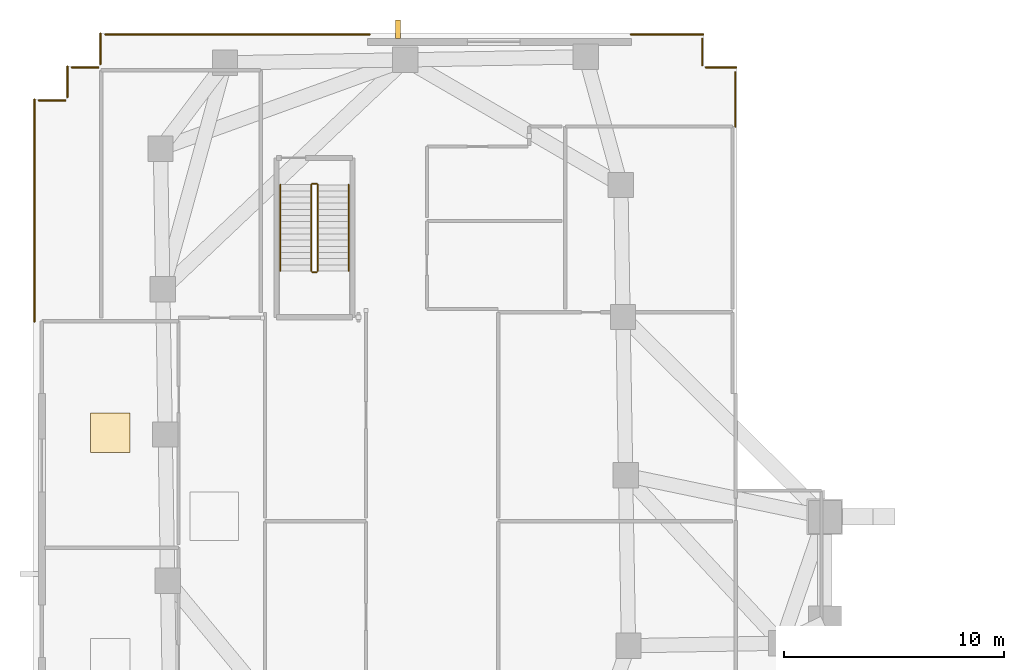
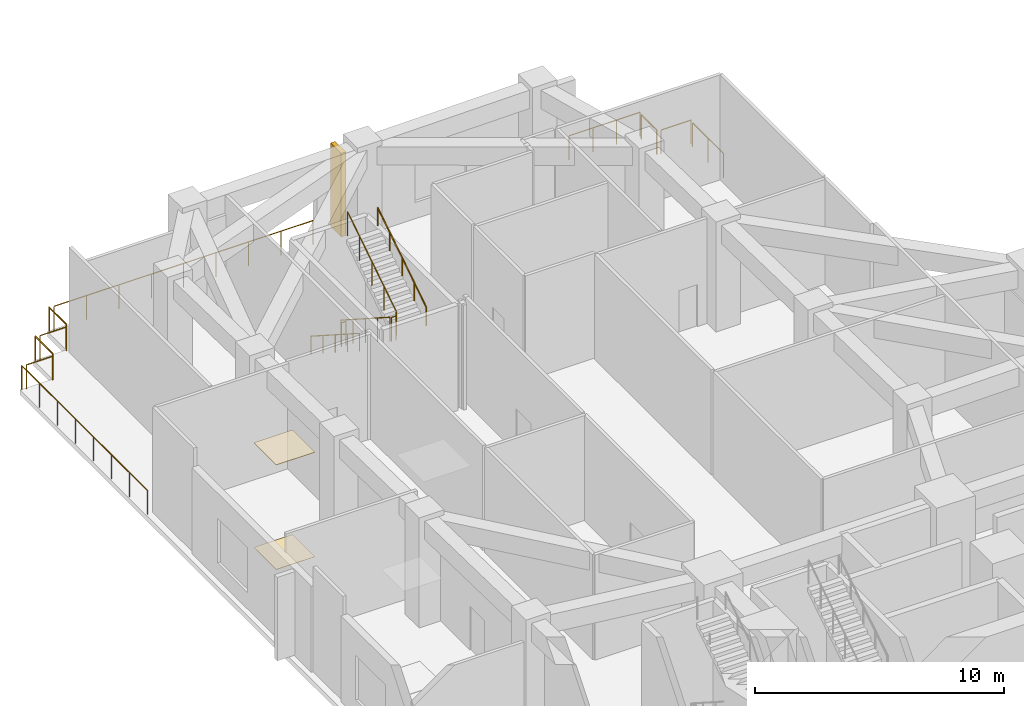
# One storey, part 17 of 18: 16 railings, 2 coverings, 1 shading device.
"""IFC4 building model written with IfcOpenShell, lengths in metres."""

import ifcopenshell
import ifcopenshell.guid

model = None  # the IFC model being written
_history = None  # IfcOwnerHistory: only IFC2X3 demands one
_inside = {}  # id of a spatial element -> (the spatial element, [elements in it])
_under = {}  # id of a project, library or spatial element -> (it, [spatial elements below it])
_declared = {}  # id of a project -> (the project, [libraries it declares])
_typed = {}  # id of a type object -> (the type object, [elements of that type])
_made_of = {}  # id of a material, layer set ... -> (it, [elements and type objects made of it])


def new_model(schema):
    """Start an empty IFC model of exactly this schema.

    Asked for "IFC4X3", IfcOpenShell would pick the latest addendum, in which some entities
    have other attributes; the version numbers below select the first issue.
    IFC2X3 requires an IfcOwnerHistory on every rooted entity: one is made here for all.
    """
    global model, _history
    if schema == "IFC4X3":
        model = ifcopenshell.file(schema_version=(4, 3, 0, 0))
    else:
        model = ifcopenshell.file(schema=schema)
    _inside.clear()
    _under.clear()
    _declared.clear()
    _typed.clear()
    _made_of.clear()
    _history = None
    if model.schema == "IFC2X3":
        org = make("IfcOrganization", Name="unknown")
        user = make(
            "IfcPersonAndOrganization",
            ThePerson=make("IfcPerson", FamilyName="unknown"),
            TheOrganization=org,
        )
        app = make(
            "IfcApplication",
            ApplicationDeveloper=org,
            Version="unknown",
            ApplicationFullName="unknown",
            ApplicationIdentifier="unknown",
        )
        _history = make(
            "IfcOwnerHistory",
            OwningUser=user,
            OwningApplication=app,
            ChangeAction="ADDED",
            CreationDate=0,
        )
    return model


def make(cls, **values):
    """One entity of the class cls with the attributes given. An attribute that is None is left unset."""
    return model.create_entity(
        cls, **{name: value for name, value in values.items() if value is not None}
    )


def rooted(cls, **values):
    """An entity with a GlobalId (a new one), such as an element, a storey or a relation."""
    return make(cls, GlobalId=ifcopenshell.guid.new(), OwnerHistory=_history, **values)


def si_unit(unit_type, name, prefix=None):
    """IfcSIUnit, for example si_unit("LENGTHUNIT", "METRE", prefix="MILLI")."""
    return make("IfcSIUnit", UnitType=unit_type, Prefix=prefix, Name=name)


def assignment(units):
    """IfcUnitAssignment: the units of a project."""
    return None if units is None else make("IfcUnitAssignment", Units=units)


def point(xyz):
    """IfcCartesianPoint."""
    return None if xyz is None else make("IfcCartesianPoint", Coordinates=xyz)


def direction(xyz):
    """IfcDirection."""
    return None if xyz is None else make("IfcDirection", DirectionRatios=xyz)


def frame(location, z_axis=None, x_axis=None):
    """IfcAxis2Placement3D, a coordinate frame: its origin and axes. An axis left out is left unset."""
    return make(
        "IfcAxis2Placement3D",
        Location=point(location),
        Axis=direction(z_axis),
        RefDirection=direction(x_axis),
    )


def frame_2d(location, x_axis=None):
    """IfcAxis2Placement2D, a coordinate frame in the plane: its origin and x axis."""
    return make(
        "IfcAxis2Placement2D", Location=point(location), RefDirection=direction(x_axis)
    )


def origin():
    """The frame at (0, 0, 0) with its axes left unset."""
    return frame((0.0, 0.0, 0.0))


def origin_2d():
    """The frame at (0, 0) in the plane with its x axis left unset."""
    return frame_2d((0.0, 0.0))


def place(relative_to, where):
    """IfcLocalPlacement: puts the frame where relative to a parent placement (None: the world)."""
    return make(
        "IfcLocalPlacement", PlacementRelTo=relative_to, RelativePlacement=where
    )


def context(
    kind, dimensions, precision=None, world=None, true_north=None, identifier=None
):
    """IfcGeometricRepresentationContext, for example the 3D "Model" context."""
    return make(
        "IfcGeometricRepresentationContext",
        ContextIdentifier=identifier,
        ContextType=kind,
        CoordinateSpaceDimension=dimensions,
        Precision=precision,
        WorldCoordinateSystem=world,
        TrueNorth=true_north,
    )


def subcontext(parent, identifier, kind, view, scale=None):
    """IfcGeometricRepresentationSubContext, for example "Body" below "Model"."""
    return make(
        "IfcGeometricRepresentationSubContext",
        ContextIdentifier=identifier,
        ContextType=kind,
        ParentContext=parent,
        TargetScale=scale,
        TargetView=view,
    )


def project(units=None, contexts=None):
    """IfcProject with its units and contexts."""
    return rooted(
        "IfcProject",
        Name="project",
        RepresentationContexts=contexts,
        UnitsInContext=assignment(units),
    )


def spatial(cls, under=None, at=None, **own):
    """A site, building, storey or space (cls), placed at a placement, below another one or the project."""
    s = rooted(cls, ObjectPlacement=at, **own)
    if under is not None:
        _under.setdefault(under.id(), (under, []))[1].append(s)
    return s


def profile(cls, at=None, kind="AREA", **sizes):
    """A parametric profile (cls). Its sizes go by their IFC names, for example OverallWidth=200.0."""
    return make(cls, ProfileType=kind, Position=at, **sizes)


def rectangle(**sizes):
    """IfcRectangleProfileDef."""
    return profile("IfcRectangleProfileDef", **sizes)


def circle(**sizes):
    """IfcCircleProfileDef."""
    return profile("IfcCircleProfileDef", **sizes)


def extrude(swept, where, along, depth):
    """IfcExtrudedAreaSolid: the profile swept, set in the frame where, extruded along a direction by depth."""
    return make(
        "IfcExtrudedAreaSolid",
        SweptArea=swept,
        Position=where,
        ExtrudedDirection=direction(along),
        Depth=depth,
    )


def shape(context_of_items, identifier, shape_type, items):
    """IfcShapeRepresentation: the items that make up one representation, for example the "Body"."""
    return make(
        "IfcShapeRepresentation",
        ContextOfItems=context_of_items,
        RepresentationIdentifier=identifier,
        RepresentationType=shape_type,
        Items=items,
    )


def material(Name=None, Category=None):
    """IfcMaterial."""
    return make("IfcMaterial", Name=Name, Category=Category)


def layer(
    of_material, thickness, ventilated=None, Name=None, Category=None, Priority=None
):
    """IfcMaterialLayer: one layer of a wall or slab, of a material (None: an air gap)."""
    return make(
        "IfcMaterialLayer",
        Material=of_material,
        LayerThickness=thickness,
        IsVentilated=ventilated,
        Name=Name,
        Category=Category,
        Priority=Priority,
    )


def layer_set(layers, Name=None):
    """IfcMaterialLayerSet."""
    return make("IfcMaterialLayerSet", MaterialLayers=layers, LayerSetName=Name)


def made_of(thing, what):
    """Note that an element or type object is made of a material, layer set ...; save() writes the relation."""
    if what is not None:
        _made_of.setdefault(what.id(), (what, []))[1].append(thing)
    return thing


def type_object(cls, material=None, **own):
    """A type object (cls), such as IfcWallType, which elements share."""
    return made_of(rooted(cls, **own), material)


def element(
    cls,
    number,
    at=None,
    inside=None,
    cuts=None,
    type_object=None,
    material=None,
    context=None,
    identifier="Body",
    shape_type=None,
    held_by="IfcProductDefinitionShape",
    body=None,
    shapes=None,
    **own,
):
    """One element of the class cls, such as IfcWall. Its Tag is "e" and its number.

    at: its placement. inside: the storey or other place that contains it. cuts: it is an
    opening in that element (IfcRelVoidsElement). A single representation is given by context,
    identifier, shape_type and body (its items); several are given by shapes. held_by: the class
    of the entity that holds the representations. save() writes the other relations.
    """
    e = rooted(cls, Tag="e%d" % number, ObjectPlacement=at, **own)
    if body is not None:
        shapes = [shape(context, identifier, shape_type, body)]
    if shapes is not None:
        e.Representation = make(held_by, Representations=shapes)
    if inside is not None:
        _inside.setdefault(inside.id(), (inside, []))[1].append(e)
    if cuts is not None:
        rooted(
            "IfcRelVoidsElement", RelatingBuildingElement=cuts, RelatedOpeningElement=e
        )
    if type_object is not None:
        _typed.setdefault(type_object.id(), (type_object, []))[1].append(e)
    return made_of(e, material)


def aggregate(whole, parts):
    """IfcRelAggregates: a whole, such as a stair, and the parts it consists of."""
    return rooted("IfcRelAggregates", RelatingObject=whole, RelatedObjects=parts)


def save(model, path):
    """Write the relations noted so far, then the file.

    IfcRelAggregates (storeys below a building ...), IfcRelContainedInSpatialStructure (elements
    in a storey), IfcRelDefinesByType, IfcRelAssociatesMaterial and IfcRelDeclares: one each for
    every whole, place, type object, material and project.
    """
    for whole, parts in _under.values():
        aggregate(whole, parts)
    for where, things in _inside.values():
        rooted(
            "IfcRelContainedInSpatialStructure",
            RelatedElements=things,
            RelatingStructure=where,
        )
    for kind, things in _typed.values():
        rooted("IfcRelDefinesByType", RelatedObjects=things, RelatingType=kind)
    for what, things in _made_of.values():
        rooted("IfcRelAssociatesMaterial", RelatedObjects=things, RelatingMaterial=what)
    for by, libraries in _declared.values():
        rooted("IfcRelDeclares", RelatingContext=by, RelatedDefinitions=libraries)
    model.write(path)


model = new_model("IFC4")

# Units and contexts
model_context = context("Model", 3, precision=1e-05, world=origin(), true_north=direction((0.0, 1.0)))
body_context = subcontext(model_context, "Body", "Model", "MODEL_VIEW")
ifc_project = project(units=[si_unit("LENGTHUNIT", "METRE"), si_unit("AREAUNIT", "SQUARE_METRE"), si_unit("VOLUMEUNIT", "CUBIC_METRE"), si_unit("PLANEANGLEUNIT", "RADIAN"), si_unit("MASSUNIT", "GRAM", prefix="KILO")], contexts=[model_context])

# Site, building, storey
site_placement = place(None, origin())
site = spatial("IfcSite", under=ifc_project, at=site_placement, CompositionType="ELEMENT")
building_placement = place(site_placement, origin())
building = spatial("IfcBuilding", under=site, at=building_placement, Name="Gaonmaruhae Medical Tower", CompositionType="ELEMENT")
storey_placement = place(building_placement, frame((0.0, 0.0, 5.39990234375)))
storey = spatial("IfcBuildingStorey", under=building, at=storey_placement, Name="L01", CompositionType="ELEMENT", Elevation=5.39990234375)

# Coverings
ifc_material_1 = material(Name="Acoustic mineral ceiling tile", Category="finish")
ifc_layer_1 = layer(ifc_material_1, 0.02490234375)
ifc_layer_set_1 = layer_set([ifc_layer_1], Name="Acoustic mineral ceiling tile")
covering_type_1 = type_object("IfcCoveringType", Name="CLG-01 Antimicrobial Acoustic Mineral Ceiling", PredefinedType="CEILING", material=ifc_layer_set_1)
covering_1_placement = place(storey_placement, frame((3.510009765625, 33.02490234375, 5.125244140625), z_axis=(0.0, 0.0, 1.0), x_axis=(1.0, 0.0, 0.0)))
element("IfcCovering", 1, at=covering_1_placement, inside=storey, type_object=covering_type_1, Name="L01 Clinical Room Acoustic Ceiling 4", PredefinedType="CEILING", context=body_context, shape_type="SweptSolid", body=[
    extrude(rectangle(XDim=1.800048828125, YDim=1.800048828125, at=origin_2d()), origin(), (0.0, 0.0, 1.0), 0.02490234375),
])
ifc_material_2 = material(Name="Seamless clinical vinyl flooring", Category="finish")
ifc_layer_2 = layer(ifc_material_2, 0.014892578125)
ifc_layer_set_2 = layer_set([ifc_layer_2], Name="Seamless clinical vinyl flooring")
covering_type_2 = type_object("IfcCoveringType", Name="FLR-01 Seamless Clinical Antistatic Vinyl Flooring", PredefinedType="FLOORING", material=ifc_layer_set_2)
covering_2_placement = place(storey_placement, frame((3.510009765625, 33.02490234375, 0.0), z_axis=(0.0, 0.0, 1.0), x_axis=(1.0, 0.0, 0.0)))
element("IfcCovering", 2, at=covering_2_placement, inside=storey, type_object=covering_type_2, Name="L01 Clinical Room Vinyl Flooring 4", PredefinedType="FLOORING", context=body_context, shape_type="SweptSolid", body=[
    extrude(rectangle(XDim=1.800048828125, YDim=1.800048828125, at=origin_2d()), origin(), (0.0, 0.0, 1.0), 0.014892578125),
])

# Railings
ifc_material_3 = material(Name="Stainless steel 316L and laminated safety glass", Category="steel")
ifc_layer_3 = layer(ifc_material_3, 0.080078125)
ifc_layer_set_3 = layer_set([ifc_layer_3], Name="Stainless steel 316L and laminated safety glass")
railing_type_1 = type_object("IfcRailingType", Name="GD-120 Outdoor Terrace Safety Glass & Steel Balustrade", PredefinedType="BALUSTRADE", material=ifc_layer_set_3)
railing_1_placement = place(storey_placement, frame((0.070068359375, 38.07568359375, 0.0)))
element("IfcRailing", 3, at=railing_1_placement, inside=storey, type_object=railing_type_1, Name="L01 Perimeter Slab Edge Safety Balustrade 03", PredefinedType="BALUSTRADE", context=body_context, shape_type="SweptSolid", body=[
    extrude(circle(Radius=0.02392578125, at=origin_2d()), frame((0.0, 0.0, 1.17578125), z_axis=(0.0, 1.0, 0.0), x_axis=(-1.0, 0.0, 0.0)), (0.0, 0.0, 1.0), 10.104248046875),
    extrude(circle(Radius=0.02099609375, at=origin_2d()), origin(), (0.0, 0.0, 1.0), 1.15185546875),
    extrude(circle(Radius=0.02099609375, at=origin_2d()), frame((0.0, 1.443359375, 0.0)), (0.0, 0.0, 1.0), 1.15185546875),
    extrude(circle(Radius=0.02099609375, at=origin_2d()), frame((0.0, 2.886962890625, 0.0)), (0.0, 0.0, 1.0), 1.15185546875),
    extrude(circle(Radius=0.02099609375, at=origin_2d()), frame((0.0, 4.330322265625, 0.0)), (0.0, 0.0, 1.0), 1.15185546875),
    extrude(circle(Radius=0.02099609375, at=origin_2d()), frame((0.0, 5.77392578125, 0.0)), (0.0, 0.0, 1.0), 1.15185546875),
    extrude(circle(Radius=0.02099609375, at=origin_2d()), frame((0.0, 7.21728515625, 0.0)), (0.0, 0.0, 1.0), 1.15185546875),
    extrude(circle(Radius=0.02099609375, at=origin_2d()), frame((0.0, 8.660888671875, 0.0)), (0.0, 0.0, 1.0), 1.15185546875),
    extrude(circle(Radius=0.02099609375, at=origin_2d()), frame((0.0, 10.104248046875, 0.0)), (0.0, 0.0, 1.0), 1.15185546875),
])
railing_2_placement = place(storey_placement, frame((0.25341796875, 48.1298828125, 0.0)))
element("IfcRailing", 4, at=railing_2_placement, inside=storey, type_object=railing_type_1, Name="L01 Perimeter Slab Edge Safety Balustrade 04", PredefinedType="BALUSTRADE", context=body_context, shape_type="SweptSolid", body=[
    extrude(circle(Radius=0.02392578125, at=origin_2d()), frame((0.0, 0.0, 1.17578125), z_axis=(1.0, 0.0, 0.0), x_axis=(0.0, 1.0, 0.0)), (0.0, 0.0, 1.0), 1.2265625),
    extrude(circle(Radius=0.02099609375, at=origin_2d()), origin(), (0.0, 0.0, 1.0), 1.15185546875),
    extrude(circle(Radius=0.02099609375, at=origin_2d()), frame((1.2265625, 0.0, 0.0)), (0.0, 0.0, 1.0), 1.15185546875),
])
railing_3_placement = place(storey_placement, frame((1.570068359375, 48.28662109375, 0.0)))
element("IfcRailing", 5, at=railing_3_placement, inside=storey, type_object=railing_type_1, Name="L01 Perimeter Slab Edge Safety Balustrade 05", PredefinedType="BALUSTRADE", context=body_context, shape_type="SweptSolid", body=[
    extrude(circle(Radius=0.02392578125, at=origin_2d()), frame((0.0, 0.0, 1.17578125), z_axis=(0.0, 1.0, 0.0), x_axis=(-1.0, 0.0, 0.0)), (0.0, 0.0, 1.0), 1.393310546875),
    extrude(circle(Radius=0.02099609375, at=origin_2d()), origin(), (0.0, 0.0, 1.0), 1.15185546875),
    extrude(circle(Radius=0.02099609375, at=origin_2d()), frame((0.0, 1.393310546875, 0.0)), (0.0, 0.0, 1.0), 1.15185546875),
])
railing_4_placement = place(storey_placement, frame((1.75341796875, 49.6298828125, 0.0)))
element("IfcRailing", 6, at=railing_4_placement, inside=storey, type_object=railing_type_1, Name="L01 Perimeter Slab Edge Safety Balustrade 06", PredefinedType="BALUSTRADE", context=body_context, shape_type="SweptSolid", body=[
    extrude(circle(Radius=0.02392578125, at=origin_2d()), frame((0.0, 0.0, 1.17578125), z_axis=(1.0, 0.0, 0.0), x_axis=(0.0, 1.0, 0.0)), (0.0, 0.0, 1.0), 1.2265625),
    extrude(circle(Radius=0.02099609375, at=origin_2d()), origin(), (0.0, 0.0, 1.0), 1.15185546875),
    extrude(circle(Radius=0.02099609375, at=origin_2d()), frame((1.2265625, 0.0, 0.0)), (0.0, 0.0, 1.0), 1.15185546875),
])
railing_5_placement = place(storey_placement, frame((3.070068359375, 49.78662109375, 0.0)))
element("IfcRailing", 7, at=railing_5_placement, inside=storey, type_object=railing_type_1, Name="L01 Perimeter Slab Edge Safety Balustrade 07", PredefinedType="BALUSTRADE", context=body_context, shape_type="SweptSolid", body=[
    extrude(circle(Radius=0.02392578125, at=origin_2d()), frame((0.0, 0.0, 1.17578125), z_axis=(0.0, 1.0, 0.0), x_axis=(-1.0, 0.0, 0.0)), (0.0, 0.0, 1.0), 1.393310546875),
    extrude(circle(Radius=0.02099609375, at=origin_2d()), origin(), (0.0, 0.0, 1.0), 1.15185546875),
    extrude(circle(Radius=0.02099609375, at=origin_2d()), frame((0.0, 1.393310546875, 0.0)), (0.0, 0.0, 1.0), 1.15185546875),
])
railing_6_placement = place(storey_placement, frame((3.279541015625, 51.1298828125, 0.0)))
element("IfcRailing", 8, at=railing_6_placement, inside=storey, type_object=railing_type_1, Name="L01 Perimeter Slab Edge Safety Balustrade 08", PredefinedType="BALUSTRADE", context=body_context, shape_type="SweptSolid", body=[
    extrude(circle(Radius=0.02392578125, at=origin_2d()), frame((0.0, 0.0, 1.17578125), z_axis=(1.0, 0.0, 0.0), x_axis=(0.0, 1.0, 0.0)), (0.0, 0.0, 1.0), 12.022705078125),
    extrude(circle(Radius=0.02099609375, at=origin_2d()), origin(), (0.0, 0.0, 1.0), 1.15185546875),
    extrude(circle(Radius=0.02099609375, at=origin_2d()), frame((1.5029296875, 0.0, 0.0)), (0.0, 0.0, 1.0), 1.15185546875),
    extrude(circle(Radius=0.02099609375, at=origin_2d()), frame((3.005615234375, 0.0, 0.0)), (0.0, 0.0, 1.0), 1.15185546875),
    extrude(circle(Radius=0.02099609375, at=origin_2d()), frame((4.508544921875, 0.0, 0.0)), (0.0, 0.0, 1.0), 1.15185546875),
    extrude(circle(Radius=0.02099609375, at=origin_2d()), frame((6.01123046875, 0.0, 0.0)), (0.0, 0.0, 1.0), 1.15185546875),
    extrude(circle(Radius=0.02099609375, at=origin_2d()), frame((7.51416015625, 0.0, 0.0)), (0.0, 0.0, 1.0), 1.15185546875),
    extrude(circle(Radius=0.02099609375, at=origin_2d()), frame((9.01708984375, 0.0, 0.0)), (0.0, 0.0, 1.0), 1.15185546875),
    extrude(circle(Radius=0.02099609375, at=origin_2d()), frame((10.519775390625, 0.0, 0.0)), (0.0, 0.0, 1.0), 1.15185546875),
    extrude(circle(Radius=0.02099609375, at=origin_2d()), frame((12.022705078125, 0.0, 0.0)), (0.0, 0.0, 1.0), 1.15185546875),
])
railing_7_placement = place(storey_placement, frame((27.184814453125, 51.1298828125, 0.0)))
element("IfcRailing", 9, at=railing_7_placement, inside=storey, type_object=railing_type_1, Name="L01 Perimeter Slab Edge Safety Balustrade 09", PredefinedType="BALUSTRADE", context=body_context, shape_type="SweptSolid", body=[
    extrude(circle(Radius=0.02392578125, at=origin_2d()), frame((0.0, 0.0, 1.17578125), z_axis=(1.0, 0.0, 0.0), x_axis=(0.0, 1.0, 0.0)), (0.0, 0.0, 1.0), 3.295166015625),
    extrude(circle(Radius=0.02099609375, at=origin_2d()), origin(), (0.0, 0.0, 1.0), 1.15185546875),
    extrude(circle(Radius=0.02099609375, at=origin_2d()), frame((1.098388671875, 0.0, 0.0)), (0.0, 0.0, 1.0), 1.15185546875),
    extrude(circle(Radius=0.02099609375, at=origin_2d()), frame((2.19677734375, 0.0, 0.0)), (0.0, 0.0, 1.0), 1.15185546875),
    extrude(circle(Radius=0.02099609375, at=origin_2d()), frame((3.295166015625, 0.0, 0.0)), (0.0, 0.0, 1.0), 1.15185546875),
])
railing_8_placement = place(storey_placement, frame((30.429931640625, 50.94677734375, 0.0)))
element("IfcRailing", 10, at=railing_8_placement, inside=storey, type_object=railing_type_1, Name="L01 Perimeter Slab Edge Safety Balustrade 10", PredefinedType="BALUSTRADE", context=body_context, shape_type="SweptSolid", body=[
    extrude(circle(Radius=0.02392578125, at=origin_2d()), frame((0.0, 0.0, 1.17578125), z_axis=(0.0, -1.0, 0.0), x_axis=(1.0, 0.0, 0.0)), (0.0, 0.0, 1.0), 1.226806640625),
    extrude(circle(Radius=0.02099609375, at=origin_2d()), origin(), (0.0, 0.0, 1.0), 1.15185546875),
    extrude(circle(Radius=0.02099609375, at=origin_2d()), frame((0.0, -1.226806640625, 0.0)), (0.0, 0.0, 1.0), 1.15185546875),
])
railing_9_placement = place(storey_placement, frame((30.586669921875, 49.6298828125, 0.0)))
element("IfcRailing", 11, at=railing_9_placement, inside=storey, type_object=railing_type_1, Name="L01 Perimeter Slab Edge Safety Balustrade 11", PredefinedType="BALUSTRADE", context=body_context, shape_type="SweptSolid", body=[
    extrude(circle(Radius=0.02392578125, at=origin_2d()), frame((0.0, 0.0, 1.17578125), z_axis=(1.0, 0.0, 0.0), x_axis=(0.0, 1.0, 0.0)), (0.0, 0.0, 1.0), 1.393310546875),
    extrude(circle(Radius=0.02099609375, at=origin_2d()), origin(), (0.0, 0.0, 1.0), 1.15185546875),
    extrude(circle(Radius=0.02099609375, at=origin_2d()), frame((1.393310546875, 0.0, 0.0)), (0.0, 0.0, 1.0), 1.15185546875),
])
railing_10_placement = place(storey_placement, frame((31.929931640625, 49.422607421875, 0.0)))
element("IfcRailing", 12, at=railing_10_placement, inside=storey, type_object=railing_type_1, Name="L01 Perimeter Slab Edge Safety Balustrade 12", PredefinedType="BALUSTRADE", context=body_context, shape_type="SweptSolid", body=[
    extrude(circle(Radius=0.02392578125, at=origin_2d()), frame((0.0, 0.0, 1.17578125), z_axis=(0.0, -1.0, 0.0), x_axis=(1.0, 0.0, 0.0)), (0.0, 0.0, 1.0), 2.483154296875),
    extrude(circle(Radius=0.02099609375, at=origin_2d()), origin(), (0.0, 0.0, 1.0), 1.15185546875),
    extrude(circle(Radius=0.02099609375, at=origin_2d()), frame((0.0, -1.24169921875, 0.0)), (0.0, 0.0, 1.0), 1.15185546875),
    extrude(circle(Radius=0.02099609375, at=origin_2d()), frame((0.0, -2.483154296875, 0.0)), (0.0, 0.0, 1.0), 1.15185546875),
])
ifc_material_4 = material(Name="Stainless steel 304 handrail", Category="steel")
railing_type_2 = type_object("IfcRailingType", Name="HR-092 Continuous Stainless Steel Stair Handrail", PredefinedType="HANDRAIL", material=ifc_material_4)
railing_11_placement = place(storey_placement, frame((11.25, 44.300048828125, 0.18017578125)))
element("IfcRailing", 13, at=railing_11_placement, inside=storey, type_object=railing_type_2, Name="L01 ST-05 stair handrail 1", PredefinedType="HANDRAIL", context=body_context, shape_type="SweptSolid", body=[
    extrude(circle(Radius=0.02392578125, at=origin_2d()), frame((0.0, 0.0, 0.8759765625), z_axis=(0.0, -0.841186985886, 0.540744352514), x_axis=(1.0, 0.0, 0.0)), (0.0, 0.0, 1.0), 4.660400390625),
    extrude(circle(Radius=0.02099609375, at=origin_2d()), origin(), (0.0, 0.0, 1.0), 0.851806640625),
    extrude(circle(Radius=0.02099609375, at=origin_2d()), frame((0.0, -0.97998046875, 0.6298828125)), (0.0, 0.0, 1.0), 0.851806640625),
    extrude(circle(Radius=0.02099609375, at=origin_2d()), frame((0.0, -1.9599609375, 1.260009765625)), (0.0, 0.0, 1.0), 0.851806640625),
    extrude(circle(Radius=0.02099609375, at=origin_2d()), frame((0.0, -2.940185546875, 1.89013671875)), (0.0, 0.0, 1.0), 0.851806640625),
    extrude(circle(Radius=0.02099609375, at=origin_2d()), frame((0.0, -3.920166015625, 2.52001953125)), (0.0, 0.0, 1.0), 0.851806640625),
])
railing_12_placement = place(storey_placement, frame((14.35009765625, 40.3798828125, 2.880126953125)))
element("IfcRailing", 14, at=railing_12_placement, inside=storey, type_object=railing_type_2, Name="L01 ST-05 stair handrail 2", PredefinedType="HANDRAIL", context=body_context, shape_type="SweptSolid", body=[
    extrude(circle(Radius=0.02392578125, at=origin_2d()), frame((0.0, 0.0, 0.8759765625), z_axis=(0.0, 0.841186985886, 0.540744352514), x_axis=(-1.0, 0.0, 0.0)), (0.0, 0.0, 1.0), 4.660400390625),
    extrude(circle(Radius=0.02099609375, at=origin_2d()), origin(), (0.0, 0.0, 1.0), 0.851806640625),
    extrude(circle(Radius=0.02099609375, at=origin_2d()), frame((0.0, 0.97998046875, 0.6298828125)), (0.0, 0.0, 1.0), 0.851806640625),
    extrude(circle(Radius=0.02099609375, at=origin_2d()), frame((0.0, 1.9599609375, 1.260009765625)), (0.0, 0.0, 1.0), 0.851806640625),
    extrude(circle(Radius=0.02099609375, at=origin_2d()), frame((0.0, 2.940185546875, 1.89013671875)), (0.0, 0.0, 1.0), 0.851806640625),
    extrude(circle(Radius=0.02099609375, at=origin_2d()), frame((0.0, 3.920166015625, 2.52001953125)), (0.0, 0.0, 1.0), 0.851806640625),
])

# Shading device
ifc_material_5 = material(Name="Pigmented coral precast concrete C45/55", Category="concrete")
shading_device_type = type_object("IfcShadingDeviceType", Name="SD-FIN2 Podium Vertical Coral Precast Shading Fin", PredefinedType="USERDEFINED", material=ifc_material_5)
shading_device_placement = place(storey_placement, frame((16.60009765625, 51.364990234375, 0.06494140625), z_axis=(0.0, 0.0, 1.0), x_axis=(1.0, 0.0, 0.0)))
element("IfcShadingDevice", 15, at=shading_device_placement, inside=storey, type_object=shading_device_type, Name="L01 Podium Coral Precast Shading Fin PB-N2", ObjectType="FIN", PredefinedType="USERDEFINED", context=body_context, shape_type="SweptSolid", body=[
    extrude(rectangle(XDim=0.219970703125, YDim=0.85009765625, at=origin_2d()), origin(), (0.0, 0.0, 1.0), 4.10009765625),
])

# Railings
ifc_material_6 = material(Name="Stainless steel 304 balustrade", Category="steel")
railing_type_3 = type_object("IfcRailingType", Name="SG-112 Stair Well & Ramp Void Safety Balustrade", PredefinedType="BALUSTRADE", material=ifc_material_6)
railing_13_placement = place(storey_placement, frame((12.64990234375, 44.300048828125, 0.18017578125)))
element("IfcRailing", 16, at=railing_13_placement, inside=storey, type_object=railing_type_3, Name="L01 ST-05 stair guard 1", PredefinedType="BALUSTRADE", context=body_context, shape_type="SweptSolid", body=[
    extrude(circle(Radius=0.02392578125, at=origin_2d()), frame((0.0, 0.0, 1.17578125), z_axis=(0.0, -0.841186985886, 0.540744352514), x_axis=(1.0, 0.0, 0.0)), (0.0, 0.0, 1.0), 4.660400390625),
    extrude(circle(Radius=0.02099609375, at=origin_2d()), origin(), (0.0, 0.0, 1.0), 1.15185546875),
    extrude(circle(Radius=0.02099609375, at=origin_2d()), frame((0.0, -0.97998046875, 0.6298828125)), (0.0, 0.0, 1.0), 1.15185546875),
    extrude(circle(Radius=0.02099609375, at=origin_2d()), frame((0.0, -1.9599609375, 1.260009765625)), (0.0, 0.0, 1.0), 1.15185546875),
    extrude(circle(Radius=0.02099609375, at=origin_2d()), frame((0.0, -2.940185546875, 1.89013671875)), (0.0, 0.0, 1.0), 1.15185546875),
    extrude(circle(Radius=0.02099609375, at=origin_2d()), frame((0.0, -3.920166015625, 2.52001953125)), (0.0, 0.0, 1.0), 1.15185546875),
])
railing_14_placement = place(storey_placement, frame((12.699951171875, 40.330078125, 2.7001953125)))
element("IfcRailing", 17, at=railing_14_placement, inside=storey, type_object=railing_type_3, Name="L01 ST-05 stair guard 2", PredefinedType="BALUSTRADE", context=body_context, shape_type="SweptSolid", body=[
    extrude(circle(Radius=0.02392578125, at=origin_2d()), frame((0.0, 0.0, 1.17578125), z_axis=(1.0, 0.0, 0.0), x_axis=(0.0, 1.0, 0.0)), (0.0, 0.0, 1.0), 0.199951171875),
    extrude(circle(Radius=0.02099609375, at=origin_2d()), origin(), (0.0, 0.0, 1.0), 1.15185546875),
    extrude(circle(Radius=0.02099609375, at=origin_2d()), frame((0.199951171875, 0.0, 0.0)), (0.0, 0.0, 1.0), 1.15185546875),
])
railing_15_placement = place(storey_placement, frame((12.949951171875, 40.3798828125, 2.880126953125)))
element("IfcRailing", 18, at=railing_15_placement, inside=storey, type_object=railing_type_3, Name="L01 ST-05 stair guard 3", PredefinedType="BALUSTRADE", context=body_context, shape_type="SweptSolid", body=[
    extrude(circle(Radius=0.02392578125, at=origin_2d()), frame((0.0, 0.0, 1.17578125), z_axis=(0.0, 0.841186985886, 0.540744352514), x_axis=(-1.0, 0.0, 0.0)), (0.0, 0.0, 1.0), 4.660400390625),
    extrude(circle(Radius=0.02099609375, at=origin_2d()), origin(), (0.0, 0.0, 1.0), 1.15185546875),
    extrude(circle(Radius=0.02099609375, at=origin_2d()), frame((0.0, 0.97998046875, 0.6298828125)), (0.0, 0.0, 1.0), 1.15185546875),
    extrude(circle(Radius=0.02099609375, at=origin_2d()), frame((0.0, 1.9599609375, 1.260009765625)), (0.0, 0.0, 1.0), 1.15185546875),
    extrude(circle(Radius=0.02099609375, at=origin_2d()), frame((0.0, 2.940185546875, 1.89013671875)), (0.0, 0.0, 1.0), 1.15185546875),
    extrude(circle(Radius=0.02099609375, at=origin_2d()), frame((0.0, 3.920166015625, 2.52001953125)), (0.0, 0.0, 1.0), 1.15185546875),
])
railing_16_placement = place(storey_placement, frame((12.699951171875, 44.35009765625, 0.0)))
element("IfcRailing", 19, at=railing_16_placement, inside=storey, type_object=railing_type_3, Name="L01 ST-05 stair guard 4", PredefinedType="BALUSTRADE", context=body_context, shape_type="SweptSolid", body=[
    extrude(circle(Radius=0.02392578125, at=origin_2d()), frame((0.0, 0.0, 1.17578125), z_axis=(1.0, 0.0, 0.0), x_axis=(0.0, 1.0, 0.0)), (0.0, 0.0, 1.0), 0.199951171875),
    extrude(circle(Radius=0.02099609375, at=origin_2d()), origin(), (0.0, 0.0, 1.0), 1.15185546875),
    extrude(circle(Radius=0.02099609375, at=origin_2d()), frame((0.199951171875, 0.0, 0.0)), (0.0, 0.0, 1.0), 1.15185546875),
])

save(model, "model.ifc")
